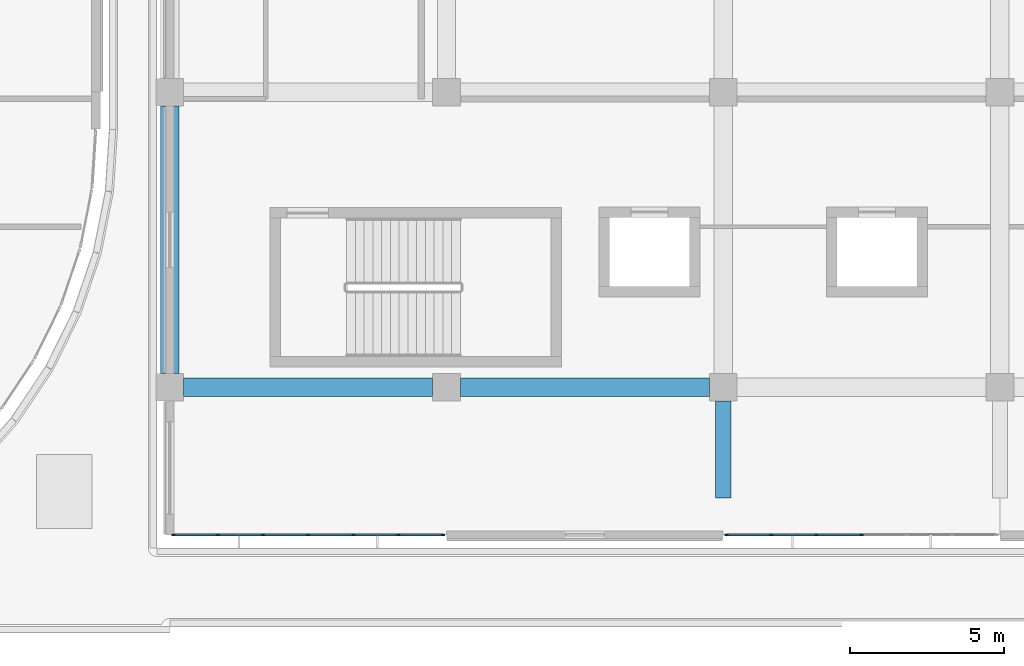
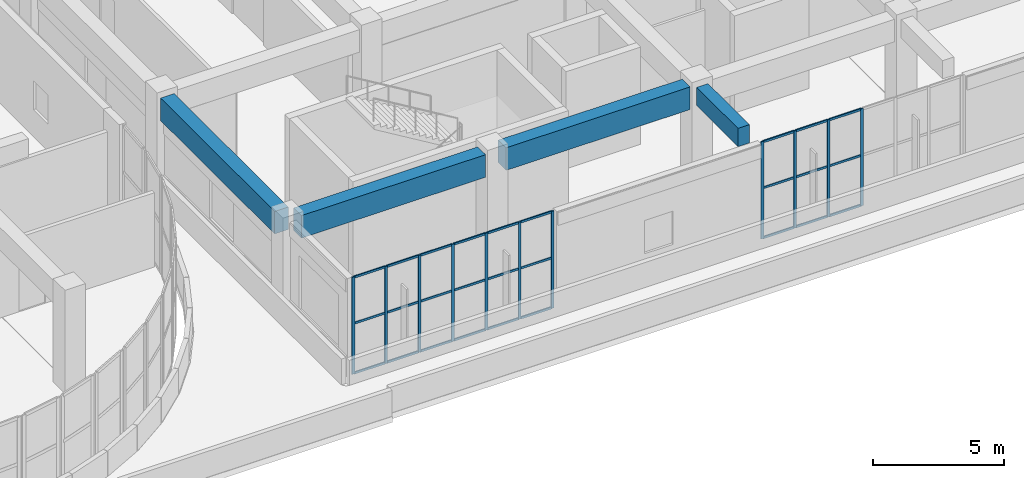
# One storey, part 17 of 96: 38 members, 4 beams, 2 elements without a shape of their own.
"""IFC4 building model written with IfcOpenShell, lengths in metres."""

from ifc_helpers import new_model, si_unit, direction, frame, origin, origin_2d, place, context, subcontext, project, spatial, rectangle, extrude, material, layer, layer_set, material_profile, profile_set, type_object, element, aggregate, save


model = new_model("IFC4")

# Units and contexts
model_context = context("Model", 3, precision=1e-05, world=origin(), true_north=direction((0.0, 1.0)))
body_context = subcontext(model_context, "Body", "Model", "MODEL_VIEW")
ifc_project = project(units=[si_unit("LENGTHUNIT", "METRE"), si_unit("AREAUNIT", "SQUARE_METRE"), si_unit("VOLUMEUNIT", "CUBIC_METRE"), si_unit("PLANEANGLEUNIT", "RADIAN"), si_unit("MASSUNIT", "GRAM", prefix="KILO")], contexts=[model_context])

# Site, building, storey
site_placement = place(None, origin())
site = spatial("IfcSite", under=ifc_project, at=site_placement, CompositionType="ELEMENT")
building_placement = place(site_placement, origin())
building = spatial("IfcBuilding", under=site, at=building_placement, Name="Cendralis Terraced Arcade", CompositionType="ELEMENT")
storey_placement = place(building_placement, frame((0.0, 0.0, 10.199951171875)))
storey = spatial("IfcBuildingStorey", under=building, at=storey_placement, Name="L02", CompositionType="ELEMENT", Elevation=10.199951171875)

# Beams
ifc_material_1 = material(Name="Concrete f'c 35 MPa", Category="concrete")
ifc_material_profile_1 = material_profile(ifc_material_1, rectangle(XDim=0.60009765625, YDim=1.050048828125, at=origin_2d()), Name="RC-BM-600x1050", Category="LoadBearing")
ifc_profile_set_1 = profile_set([ifc_material_profile_1], Name="Concrete f'c 35 MPa")
beam_type_1 = type_object("IfcBeamType", Name="BM-600x1050", PredefinedType="JOIST", material=ifc_profile_set_1)
for number, where, z_axis, x_axis, name in (
    (1, (67.64990234375, 9.60009765625, 3.989990234375), (1.0, 0.0, 0.0), (0.0, 1.0, 0.0), "Reinforced Concrete Frame Beam BM-X-L03-B-8_9"),
    (2, (76.64990234375, 9.60009765625, 3.989990234375), (1.0, 0.0, 0.0), (0.0, 1.0, 0.0), "Reinforced Concrete Frame Beam BM-X-L03-B-9_10"),
):
    element("IfcBeam", number, at=place(storey_placement, frame(where, z_axis=z_axis, x_axis=x_axis)), inside=storey, type_object=beam_type_1, Name=name, PredefinedType="JOIST", context=body_context, shape_type="SweptSolid", body=[
        extrude(rectangle(XDim=0.60009765625, YDim=1.050048828125, at=origin_2d()), origin(), (0.0, 0.0, 1.0), 8.10009765625),
    ])
beam_1_placement = place(storey_placement, frame((67.199951171875, 10.050048828125, 3.989990234375), z_axis=(0.0, 1.0, 0.0), x_axis=(-1.0, 0.0, 0.0)))
element("IfcBeam", 3, at=beam_1_placement, inside=storey, type_object=beam_type_1, Name="Reinforced Concrete Frame Beam BM-Y-L03-8-B_C", PredefinedType="JOIST", context=body_context, shape_type="SweptSolid", body=[
    extrude(rectangle(XDim=0.60009765625, YDim=1.050048828125, at=origin_2d()), origin(), (0.0, 0.0, 1.0), 8.699951171875),
])
ifc_material_profile_2 = material_profile(ifc_material_1, rectangle(XDim=0.5, YDim=0.85009765625, at=origin_2d()), Name="RC-BM-500x850", Category="LoadBearing")
ifc_profile_set_2 = profile_set([ifc_material_profile_2], Name="Concrete f'c 35 MPa")
beam_type_2 = type_object("IfcBeamType", Name="BM-TER-500x850", PredefinedType="BEAM", material=ifc_profile_set_2)
beam_2_placement = place(storey_placement, frame((85.199951171875, 9.14990234375, 4.090087890625), z_axis=(0.0, -1.0, 0.0), x_axis=(1.0, 0.0, 0.0)))
element("IfcBeam", 4, at=beam_2_placement, inside=storey, type_object=beam_type_2, Name="Terrace Bracket Girder TER-L03-V4-10", PredefinedType="BEAM", context=body_context, shape_type="SweptSolid", body=[
    extrude(rectangle(XDim=0.5, YDim=0.85009765625, at=origin_2d()), origin(), (0.0, 0.0, 1.0), 3.14990234375),
])

# Curtain wall, members
ifc_material_2 = material(Name="Anodised aluminium EN AW-6063 T6", Category="aluminium")
ifc_layer = layer(ifc_material_2, 0.1201171875, Name="CW-STORE-B")
ifc_layer_set = layer_set([ifc_layer], Name="Anodised aluminium EN AW-6063 T6")
curtain_wall_type = type_object("IfcCurtainWallType", Name="CW-STORE-B", PredefinedType="USERDEFINED", material=ifc_layer_set)
curtain_wall_1_placement = place(storey_placement, origin())
curtain_wall_1 = element("IfcCurtainWall", 5, at=curtain_wall_1_placement, inside=storey, type_object=curtain_wall_type, Name="Exterior Storefront Glazing CW-L02-0190", ObjectType="STOREFRONT GLAZING", PredefinedType="USERDEFINED")
ifc_material_profile_3 = material_profile(ifc_material_2, rectangle(XDim=0.054931640625, YDim=0.1201171875, at=origin_2d()), Name="ALU-MUL-55x120")
ifc_profile_set_3 = profile_set([ifc_material_profile_3], Name="Anodised aluminium EN AW-6063 T6")
member_type_1 = type_object("IfcMemberType", Name="CW-STORE-B-MUL", PredefinedType="MULLION", material=ifc_profile_set_3)
member_1_placement = place(storey_placement, frame((89.699951171875, 4.800048828125, 0.0), z_axis=(0.0, 0.0, 1.0), x_axis=(0.0, -1.0, 0.0)))
member_1 = element("IfcMember", 6, at=member_1_placement, type_object=member_type_1, Name="CW-S2 mullion 4", PredefinedType="MULLION", context=body_context, shape_type="SweptSolid", body=[
    extrude(rectangle(XDim=0.054931640625, YDim=0.1201171875, at=origin_2d()), origin(), (0.0, 0.0, 1.0), 4.51513671875),
])
member_2_placement = place(storey_placement, frame((88.22998046875, 4.800048828125, 0.0), z_axis=(0.0, 0.0, 1.0), x_axis=(0.0, -1.0, 0.0)))
member_2 = element("IfcMember", 7, at=member_2_placement, type_object=member_type_1, Name="CW-S2 mullion 5", PredefinedType="MULLION", context=body_context, shape_type="SweptSolid", body=[
    extrude(rectangle(XDim=0.054931640625, YDim=0.1201171875, at=origin_2d()), origin(), (0.0, 0.0, 1.0), 4.51513671875),
])
member_3_placement = place(storey_placement, frame((86.760009765625, 4.800048828125, 0.0), z_axis=(0.0, 0.0, 1.0), x_axis=(0.0, -1.0, 0.0)))
member_3 = element("IfcMember", 8, at=member_3_placement, type_object=member_type_1, Name="CW-S2 mullion 6", PredefinedType="MULLION", context=body_context, shape_type="SweptSolid", body=[
    extrude(rectangle(XDim=0.054931640625, YDim=0.1201171875, at=origin_2d()), origin(), (0.0, 0.0, 1.0), 4.51513671875),
])
member_4_placement = place(storey_placement, frame((85.3173828125, 4.800048828125, 0.0), z_axis=(0.0, 0.0, 1.0), x_axis=(0.0, -1.0, 0.0)))
member_4 = element("IfcMember", 9, at=member_4_placement, type_object=member_type_1, Name="CW-S2 mullion 7", PredefinedType="MULLION", context=body_context, shape_type="SweptSolid", body=[
    extrude(rectangle(XDim=0.054931640625, YDim=0.1201171875, at=origin_2d()), origin(), (0.0, 0.0, 1.0), 4.51513671875),
])

curtain_wall_2_placement = place(storey_placement, origin())
curtain_wall_2 = element("IfcCurtainWall", 10, at=curtain_wall_2_placement, inside=storey, type_object=curtain_wall_type, Name="Exterior Storefront Glazing CW-L02-0191", ObjectType="STOREFRONT GLAZING", PredefinedType="USERDEFINED")
member_5_placement = place(storey_placement, frame((76.08251953125, 4.800048828125, 0.0), z_axis=(0.0, 0.0, 1.0), x_axis=(0.0, -1.0, 0.0)))
member_5 = element("IfcMember", 11, at=member_5_placement, type_object=member_type_1, Name="CW-S2 mullion 1", PredefinedType="MULLION", context=body_context, shape_type="SweptSolid", body=[
    extrude(rectangle(XDim=0.054931640625, YDim=0.1201171875, at=origin_2d()), origin(), (0.0, 0.0, 1.0), 4.51513671875),
])
member_6_placement = place(storey_placement, frame((74.639892578125, 4.800048828125, 0.0), z_axis=(0.0, 0.0, 1.0), x_axis=(0.0, -1.0, 0.0)))
member_6 = element("IfcMember", 12, at=member_6_placement, type_object=member_type_1, Name="CW-S2 mullion 2", PredefinedType="MULLION", context=body_context, shape_type="SweptSolid", body=[
    extrude(rectangle(XDim=0.054931640625, YDim=0.1201171875, at=origin_2d()), origin(), (0.0, 0.0, 1.0), 4.51513671875),
])
member_7_placement = place(storey_placement, frame((73.169921875, 4.800048828125, 0.0), z_axis=(0.0, 0.0, 1.0), x_axis=(0.0, -1.0, 0.0)))
member_7 = element("IfcMember", 13, at=member_7_placement, type_object=member_type_1, Name="CW-S2 mullion 3", PredefinedType="MULLION", context=body_context, shape_type="SweptSolid", body=[
    extrude(rectangle(XDim=0.054931640625, YDim=0.1201171875, at=origin_2d()), origin(), (0.0, 0.0, 1.0), 4.51513671875),
])
member_8_placement = place(storey_placement, frame((71.699951171875, 4.800048828125, 0.0), z_axis=(0.0, 0.0, 1.0), x_axis=(0.0, -1.0, 0.0)))
member_8 = element("IfcMember", 14, at=member_8_placement, type_object=member_type_1, Name="CW-S2 mullion 4", PredefinedType="MULLION", context=body_context, shape_type="SweptSolid", body=[
    extrude(rectangle(XDim=0.054931640625, YDim=0.1201171875, at=origin_2d()), origin(), (0.0, 0.0, 1.0), 4.51513671875),
])
member_9_placement = place(storey_placement, frame((70.22998046875, 4.800048828125, 0.0), z_axis=(0.0, 0.0, 1.0), x_axis=(0.0, -1.0, 0.0)))
member_9 = element("IfcMember", 15, at=member_9_placement, type_object=member_type_1, Name="CW-S2 mullion 5", PredefinedType="MULLION", context=body_context, shape_type="SweptSolid", body=[
    extrude(rectangle(XDim=0.054931640625, YDim=0.1201171875, at=origin_2d()), origin(), (0.0, 0.0, 1.0), 4.51513671875),
])
member_10_placement = place(storey_placement, frame((68.760009765625, 4.800048828125, 0.0), z_axis=(0.0, 0.0, 1.0), x_axis=(0.0, -1.0, 0.0)))
member_10 = element("IfcMember", 16, at=member_10_placement, type_object=member_type_1, Name="CW-S2 mullion 6", PredefinedType="MULLION", context=body_context, shape_type="SweptSolid", body=[
    extrude(rectangle(XDim=0.054931640625, YDim=0.1201171875, at=origin_2d()), origin(), (0.0, 0.0, 1.0), 4.51513671875),
])
member_11_placement = place(storey_placement, frame((67.3173828125, 4.800048828125, 0.0), z_axis=(0.0, 0.0, 1.0), x_axis=(0.0, -1.0, 0.0)))
member_11 = element("IfcMember", 17, at=member_11_placement, type_object=member_type_1, Name="CW-S2 mullion 7", PredefinedType="MULLION", context=body_context, shape_type="SweptSolid", body=[
    extrude(rectangle(XDim=0.054931640625, YDim=0.1201171875, at=origin_2d()), origin(), (0.0, 0.0, 1.0), 4.51513671875),
])

# Member
ifc_material_profile_4 = material_profile(ifc_material_2, rectangle(XDim=0.054931640625, YDim=0.10009765625, at=origin_2d()), Name="ALU-TRN-55x100")
ifc_profile_set_4 = profile_set([ifc_material_profile_4], Name="Anodised aluminium EN AW-6063 T6")
member_type_2 = type_object("IfcMemberType", Name="CW-STORE-B-TRN", PredefinedType="USERDEFINED", material=ifc_profile_set_4)
member_12_placement = place(storey_placement, frame((89.672607421875, 4.800048828125, 0.027587890625), z_axis=(-1.0, 0.0, 0.0), x_axis=(0.0, -1.0, 0.0)))
member_12 = element("IfcMember", 18, at=member_12_placement, type_object=member_type_2, Name="CW-S2 transom 4.1", ObjectType="TRANSOM", PredefinedType="USERDEFINED", context=body_context, shape_type="SweptSolid", body=[
    extrude(rectangle(XDim=0.054931640625, YDim=0.10009765625, at=origin_2d()), origin(), (0.0, 0.0, 1.0), 1.4150390625),
])

member_13_placement = place(storey_placement, frame((89.672607421875, 4.800048828125, 2.347900390625), z_axis=(-1.0, 0.0, 0.0), x_axis=(0.0, -1.0, 0.0)))
member_13 = element("IfcMember", 19, at=member_13_placement, type_object=member_type_2, Name="CW-S2 transom 4.2", ObjectType="TRANSOM", PredefinedType="USERDEFINED", context=body_context, shape_type="SweptSolid", body=[
    extrude(rectangle(XDim=0.054931640625, YDim=0.10009765625, at=origin_2d()), origin(), (0.0, 0.0, 1.0), 1.4150390625),
])

member_14_placement = place(storey_placement, frame((89.672607421875, 4.800048828125, 4.487548828125), z_axis=(-1.0, 0.0, 0.0), x_axis=(0.0, -1.0, 0.0)))
member_14 = element("IfcMember", 20, at=member_14_placement, type_object=member_type_2, Name="CW-S2 transom 4.3", ObjectType="TRANSOM", PredefinedType="USERDEFINED", context=body_context, shape_type="SweptSolid", body=[
    extrude(rectangle(XDim=0.054931640625, YDim=0.10009765625, at=origin_2d()), origin(), (0.0, 0.0, 1.0), 1.4150390625),
])

member_15_placement = place(storey_placement, frame((88.202392578125, 4.800048828125, 0.027587890625), z_axis=(-1.0, 0.0, 0.0), x_axis=(0.0, -1.0, 0.0)))
member_15 = element("IfcMember", 21, at=member_15_placement, type_object=member_type_2, Name="CW-S2 transom 5.1", ObjectType="TRANSOM", PredefinedType="USERDEFINED", context=body_context, shape_type="SweptSolid", body=[
    extrude(rectangle(XDim=0.054931640625, YDim=0.10009765625, at=origin_2d()), origin(), (0.0, 0.0, 1.0), 1.414794921875),
])

member_16_placement = place(storey_placement, frame((88.202392578125, 4.800048828125, 2.347900390625), z_axis=(-1.0, 0.0, 0.0), x_axis=(0.0, -1.0, 0.0)))
member_16 = element("IfcMember", 22, at=member_16_placement, type_object=member_type_2, Name="CW-S2 transom 5.2", ObjectType="TRANSOM", PredefinedType="USERDEFINED", context=body_context, shape_type="SweptSolid", body=[
    extrude(rectangle(XDim=0.054931640625, YDim=0.10009765625, at=origin_2d()), origin(), (0.0, 0.0, 1.0), 1.414794921875),
])

member_17_placement = place(storey_placement, frame((88.202392578125, 4.800048828125, 4.487548828125), z_axis=(-1.0, 0.0, 0.0), x_axis=(0.0, -1.0, 0.0)))
member_17 = element("IfcMember", 23, at=member_17_placement, type_object=member_type_2, Name="CW-S2 transom 5.3", ObjectType="TRANSOM", PredefinedType="USERDEFINED", context=body_context, shape_type="SweptSolid", body=[
    extrude(rectangle(XDim=0.054931640625, YDim=0.10009765625, at=origin_2d()), origin(), (0.0, 0.0, 1.0), 1.414794921875),
])

member_18_placement = place(storey_placement, frame((86.732421875, 4.800048828125, 0.027587890625), z_axis=(-1.0, 0.0, 0.0), x_axis=(0.0, -1.0, 0.0)))
member_18 = element("IfcMember", 24, at=member_18_placement, type_object=member_type_2, Name="CW-S2 transom 6.1", ObjectType="TRANSOM", PredefinedType="USERDEFINED", context=body_context, shape_type="SweptSolid", body=[
    extrude(rectangle(XDim=0.054931640625, YDim=0.10009765625, at=origin_2d()), origin(), (0.0, 0.0, 1.0), 1.387451171875),
])

member_19_placement = place(storey_placement, frame((86.732421875, 4.800048828125, 2.347900390625), z_axis=(-1.0, 0.0, 0.0), x_axis=(0.0, -1.0, 0.0)))
member_19 = element("IfcMember", 25, at=member_19_placement, type_object=member_type_2, Name="CW-S2 transom 6.2", ObjectType="TRANSOM", PredefinedType="USERDEFINED", context=body_context, shape_type="SweptSolid", body=[
    extrude(rectangle(XDim=0.054931640625, YDim=0.10009765625, at=origin_2d()), origin(), (0.0, 0.0, 1.0), 1.387451171875),
])

member_20_placement = place(storey_placement, frame((86.732421875, 4.800048828125, 4.487548828125), z_axis=(-1.0, 0.0, 0.0), x_axis=(0.0, -1.0, 0.0)))
member_20 = element("IfcMember", 26, at=member_20_placement, type_object=member_type_2, Name="CW-S2 transom 6.3", ObjectType="TRANSOM", PredefinedType="USERDEFINED", context=body_context, shape_type="SweptSolid", body=[
    extrude(rectangle(XDim=0.054931640625, YDim=0.10009765625, at=origin_2d()), origin(), (0.0, 0.0, 1.0), 1.387451171875),
])

aggregate(curtain_wall_1, [member_1, member_2, member_3, member_4, member_12, member_13, member_14, member_15, member_16, member_17, member_18, member_19, member_20])

member_21_placement = place(storey_placement, frame((76.054931640625, 4.800048828125, 0.027587890625), z_axis=(-1.0, 0.0, 0.0), x_axis=(0.0, -1.0, 0.0)))
member_21 = element("IfcMember", 27, at=member_21_placement, type_object=member_type_2, Name="CW-S2 transom 1.1", ObjectType="TRANSOM", PredefinedType="USERDEFINED", context=body_context, shape_type="SweptSolid", body=[
    extrude(rectangle(XDim=0.054931640625, YDim=0.10009765625, at=origin_2d()), origin(), (0.0, 0.0, 1.0), 1.387451171875),
])

member_22_placement = place(storey_placement, frame((76.054931640625, 4.800048828125, 2.347900390625), z_axis=(-1.0, 0.0, 0.0), x_axis=(0.0, -1.0, 0.0)))
member_22 = element("IfcMember", 28, at=member_22_placement, type_object=member_type_2, Name="CW-S2 transom 1.2", ObjectType="TRANSOM", PredefinedType="USERDEFINED", context=body_context, shape_type="SweptSolid", body=[
    extrude(rectangle(XDim=0.054931640625, YDim=0.10009765625, at=origin_2d()), origin(), (0.0, 0.0, 1.0), 1.387451171875),
])

member_23_placement = place(storey_placement, frame((76.054931640625, 4.800048828125, 4.487548828125), z_axis=(-1.0, 0.0, 0.0), x_axis=(0.0, -1.0, 0.0)))
member_23 = element("IfcMember", 29, at=member_23_placement, type_object=member_type_2, Name="CW-S2 transom 1.3", ObjectType="TRANSOM", PredefinedType="USERDEFINED", context=body_context, shape_type="SweptSolid", body=[
    extrude(rectangle(XDim=0.054931640625, YDim=0.10009765625, at=origin_2d()), origin(), (0.0, 0.0, 1.0), 1.387451171875),
])

member_24_placement = place(storey_placement, frame((74.612548828125, 4.800048828125, 0.027587890625), z_axis=(-1.0, 0.0, 0.0), x_axis=(0.0, -1.0, 0.0)))
member_24 = element("IfcMember", 30, at=member_24_placement, type_object=member_type_2, Name="CW-S2 transom 2.1", ObjectType="TRANSOM", PredefinedType="USERDEFINED", context=body_context, shape_type="SweptSolid", body=[
    extrude(rectangle(XDim=0.054931640625, YDim=0.10009765625, at=origin_2d()), origin(), (0.0, 0.0, 1.0), 1.4150390625),
])

member_25_placement = place(storey_placement, frame((74.612548828125, 4.800048828125, 2.347900390625), z_axis=(-1.0, 0.0, 0.0), x_axis=(0.0, -1.0, 0.0)))
member_25 = element("IfcMember", 31, at=member_25_placement, type_object=member_type_2, Name="CW-S2 transom 2.2", ObjectType="TRANSOM", PredefinedType="USERDEFINED", context=body_context, shape_type="SweptSolid", body=[
    extrude(rectangle(XDim=0.054931640625, YDim=0.10009765625, at=origin_2d()), origin(), (0.0, 0.0, 1.0), 1.4150390625),
])

member_26_placement = place(storey_placement, frame((74.612548828125, 4.800048828125, 4.487548828125), z_axis=(-1.0, 0.0, 0.0), x_axis=(0.0, -1.0, 0.0)))
member_26 = element("IfcMember", 32, at=member_26_placement, type_object=member_type_2, Name="CW-S2 transom 2.3", ObjectType="TRANSOM", PredefinedType="USERDEFINED", context=body_context, shape_type="SweptSolid", body=[
    extrude(rectangle(XDim=0.054931640625, YDim=0.10009765625, at=origin_2d()), origin(), (0.0, 0.0, 1.0), 1.4150390625),
])

member_27_placement = place(storey_placement, frame((73.142578125, 4.800048828125, 0.027587890625), z_axis=(-1.0, 0.0, 0.0), x_axis=(0.0, -1.0, 0.0)))
member_27 = element("IfcMember", 33, at=member_27_placement, type_object=member_type_2, Name="CW-S2 transom 3.1", ObjectType="TRANSOM", PredefinedType="USERDEFINED", context=body_context, shape_type="SweptSolid", body=[
    extrude(rectangle(XDim=0.054931640625, YDim=0.10009765625, at=origin_2d()), origin(), (0.0, 0.0, 1.0), 1.4150390625),
])

member_28_placement = place(storey_placement, frame((73.142578125, 4.800048828125, 2.347900390625), z_axis=(-1.0, 0.0, 0.0), x_axis=(0.0, -1.0, 0.0)))
member_28 = element("IfcMember", 34, at=member_28_placement, type_object=member_type_2, Name="CW-S2 transom 3.2", ObjectType="TRANSOM", PredefinedType="USERDEFINED", context=body_context, shape_type="SweptSolid", body=[
    extrude(rectangle(XDim=0.054931640625, YDim=0.10009765625, at=origin_2d()), origin(), (0.0, 0.0, 1.0), 1.4150390625),
])

member_29_placement = place(storey_placement, frame((73.142578125, 4.800048828125, 4.487548828125), z_axis=(-1.0, 0.0, 0.0), x_axis=(0.0, -1.0, 0.0)))
member_29 = element("IfcMember", 35, at=member_29_placement, type_object=member_type_2, Name="CW-S2 transom 3.3", ObjectType="TRANSOM", PredefinedType="USERDEFINED", context=body_context, shape_type="SweptSolid", body=[
    extrude(rectangle(XDim=0.054931640625, YDim=0.10009765625, at=origin_2d()), origin(), (0.0, 0.0, 1.0), 1.4150390625),
])

member_30_placement = place(storey_placement, frame((71.672607421875, 4.800048828125, 0.027587890625), z_axis=(-1.0, 0.0, 0.0), x_axis=(0.0, -1.0, 0.0)))
member_30 = element("IfcMember", 36, at=member_30_placement, type_object=member_type_2, Name="CW-S2 transom 4.1", ObjectType="TRANSOM", PredefinedType="USERDEFINED", context=body_context, shape_type="SweptSolid", body=[
    extrude(rectangle(XDim=0.054931640625, YDim=0.10009765625, at=origin_2d()), origin(), (0.0, 0.0, 1.0), 1.4150390625),
])

member_31_placement = place(storey_placement, frame((71.672607421875, 4.800048828125, 2.347900390625), z_axis=(-1.0, 0.0, 0.0), x_axis=(0.0, -1.0, 0.0)))
member_31 = element("IfcMember", 37, at=member_31_placement, type_object=member_type_2, Name="CW-S2 transom 4.2", ObjectType="TRANSOM", PredefinedType="USERDEFINED", context=body_context, shape_type="SweptSolid", body=[
    extrude(rectangle(XDim=0.054931640625, YDim=0.10009765625, at=origin_2d()), origin(), (0.0, 0.0, 1.0), 1.4150390625),
])

member_32_placement = place(storey_placement, frame((71.672607421875, 4.800048828125, 4.487548828125), z_axis=(-1.0, 0.0, 0.0), x_axis=(0.0, -1.0, 0.0)))
member_32 = element("IfcMember", 38, at=member_32_placement, type_object=member_type_2, Name="CW-S2 transom 4.3", ObjectType="TRANSOM", PredefinedType="USERDEFINED", context=body_context, shape_type="SweptSolid", body=[
    extrude(rectangle(XDim=0.054931640625, YDim=0.10009765625, at=origin_2d()), origin(), (0.0, 0.0, 1.0), 1.4150390625),
])

member_33_placement = place(storey_placement, frame((70.202392578125, 4.800048828125, 0.027587890625), z_axis=(-1.0, 0.0, 0.0), x_axis=(0.0, -1.0, 0.0)))
member_33 = element("IfcMember", 39, at=member_33_placement, type_object=member_type_2, Name="CW-S2 transom 5.1", ObjectType="TRANSOM", PredefinedType="USERDEFINED", context=body_context, shape_type="SweptSolid", body=[
    extrude(rectangle(XDim=0.054931640625, YDim=0.10009765625, at=origin_2d()), origin(), (0.0, 0.0, 1.0), 1.414794921875),
])

member_34_placement = place(storey_placement, frame((70.202392578125, 4.800048828125, 2.347900390625), z_axis=(-1.0, 0.0, 0.0), x_axis=(0.0, -1.0, 0.0)))
member_34 = element("IfcMember", 40, at=member_34_placement, type_object=member_type_2, Name="CW-S2 transom 5.2", ObjectType="TRANSOM", PredefinedType="USERDEFINED", context=body_context, shape_type="SweptSolid", body=[
    extrude(rectangle(XDim=0.054931640625, YDim=0.10009765625, at=origin_2d()), origin(), (0.0, 0.0, 1.0), 1.414794921875),
])

member_35_placement = place(storey_placement, frame((70.202392578125, 4.800048828125, 4.487548828125), z_axis=(-1.0, 0.0, 0.0), x_axis=(0.0, -1.0, 0.0)))
member_35 = element("IfcMember", 41, at=member_35_placement, type_object=member_type_2, Name="CW-S2 transom 5.3", ObjectType="TRANSOM", PredefinedType="USERDEFINED", context=body_context, shape_type="SweptSolid", body=[
    extrude(rectangle(XDim=0.054931640625, YDim=0.10009765625, at=origin_2d()), origin(), (0.0, 0.0, 1.0), 1.414794921875),
])

member_36_placement = place(storey_placement, frame((68.732421875, 4.800048828125, 0.027587890625), z_axis=(-1.0, 0.0, 0.0), x_axis=(0.0, -1.0, 0.0)))
member_36 = element("IfcMember", 42, at=member_36_placement, type_object=member_type_2, Name="CW-S2 transom 6.1", ObjectType="TRANSOM", PredefinedType="USERDEFINED", context=body_context, shape_type="SweptSolid", body=[
    extrude(rectangle(XDim=0.054931640625, YDim=0.10009765625, at=origin_2d()), origin(), (0.0, 0.0, 1.0), 1.387451171875),
])

member_37_placement = place(storey_placement, frame((68.732421875, 4.800048828125, 2.347900390625), z_axis=(-1.0, 0.0, 0.0), x_axis=(0.0, -1.0, 0.0)))
member_37 = element("IfcMember", 43, at=member_37_placement, type_object=member_type_2, Name="CW-S2 transom 6.2", ObjectType="TRANSOM", PredefinedType="USERDEFINED", context=body_context, shape_type="SweptSolid", body=[
    extrude(rectangle(XDim=0.054931640625, YDim=0.10009765625, at=origin_2d()), origin(), (0.0, 0.0, 1.0), 1.387451171875),
])

member_38_placement = place(storey_placement, frame((68.732421875, 4.800048828125, 4.487548828125), z_axis=(-1.0, 0.0, 0.0), x_axis=(0.0, -1.0, 0.0)))
member_38 = element("IfcMember", 44, at=member_38_placement, type_object=member_type_2, Name="CW-S2 transom 6.3", ObjectType="TRANSOM", PredefinedType="USERDEFINED", context=body_context, shape_type="SweptSolid", body=[
    extrude(rectangle(XDim=0.054931640625, YDim=0.10009765625, at=origin_2d()), origin(), (0.0, 0.0, 1.0), 1.387451171875),
])

aggregate(curtain_wall_2, [member_5, member_6, member_7, member_8, member_9, member_10, member_11, member_21, member_22, member_23, member_24, member_25, member_26, member_27, member_28, member_29, member_30, member_31, member_32, member_33, member_34, member_35, member_36, member_37, member_38])

save(model, "model.ifc")
